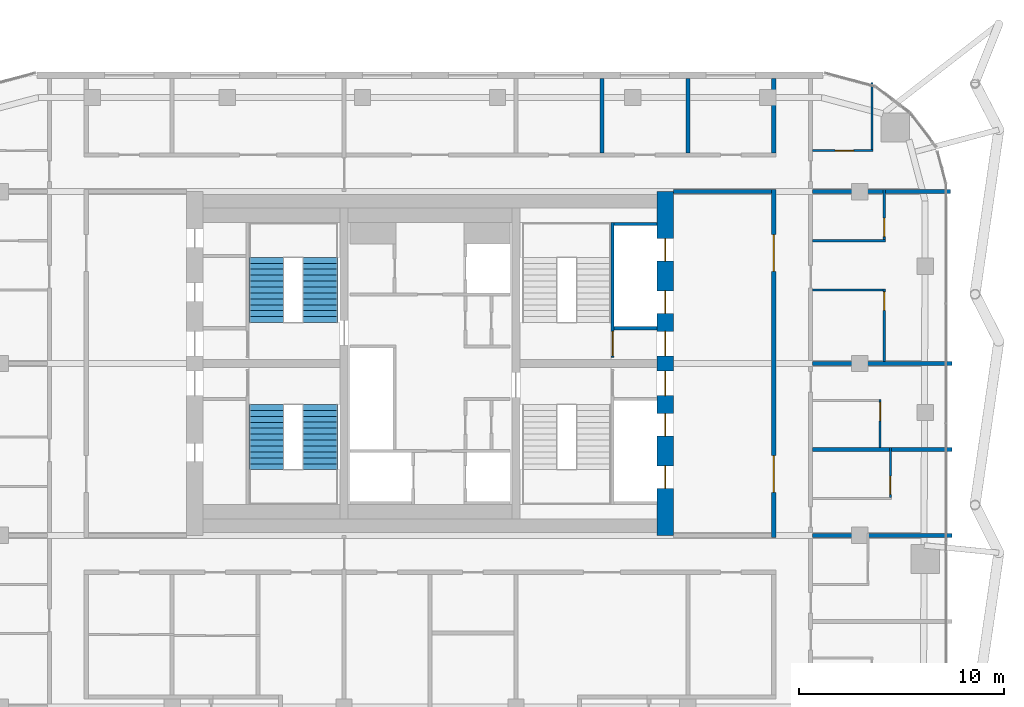
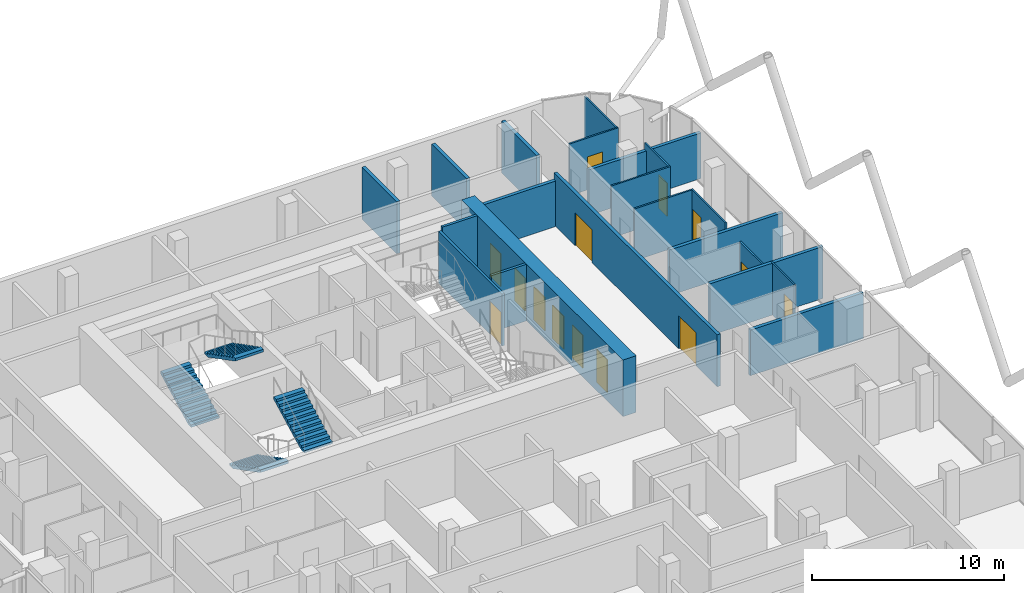
# One storey, part 31 of 33: 21 walls, 14 doors, 4 stair flights, 14 openings, 2 elements without a shape of their own.
"""IFC4 building model written with IfcOpenShell, lengths in metres."""

from ifc_helpers import new_model, si_unit, direction, frame, frame_2d, origin, place, context, subcontext, project, spatial, polyline, rectangle, outline, extrude, material, layer, layer_set, type_object, element, fill, aggregate, save


model = new_model("IFC4")

# Units and contexts
model_context = context("Model", 3, precision=1e-05, world=origin(), true_north=direction((0.0, 1.0)))
body_context = subcontext(model_context, "Body", "Model", "MODEL_VIEW")
ifc_project = project(units=[si_unit("LENGTHUNIT", "METRE"), si_unit("AREAUNIT", "SQUARE_METRE"), si_unit("VOLUMEUNIT", "CUBIC_METRE"), si_unit("PLANEANGLEUNIT", "RADIAN"), si_unit("MASSUNIT", "GRAM", prefix="KILO")], contexts=[model_context])

# Site, building, storey
site_placement = place(None, origin())
site = spatial("IfcSite", under=ifc_project, at=site_placement, CompositionType="ELEMENT")
building_placement = place(site_placement, origin())
building = spatial("IfcBuilding", under=site, at=building_placement, Name="Marenta Gate Hotel Tower", CompositionType="ELEMENT")
storey_placement = place(building_placement, frame((0.0, 0.0, 248.89990234375)))
storey = spatial("IfcBuildingStorey", under=building, at=storey_placement, Name="L59", CompositionType="ELEMENT", Elevation=248.89990234375)

# Wall, openings, doors
ifc_material_1 = material(Name="Concrete blockwork", Category="masonry")
ifc_layer_1 = layer(ifc_material_1, 0.199951171875)
ifc_layer_set_1 = layer_set([ifc_layer_1], Name="Concrete blockwork")
wall_type_1 = type_object("IfcWallType", Name="Core boundary wall 200 REI 180", PredefinedType="PARTITIONING", material=ifc_layer_set_1)
wall_1_placement = place(storey_placement, frame((16.800048828125, -0.10009765625, 0.0), z_axis=(0.0, 0.0, 1.0), x_axis=(0.0, 1.0, 0.0)))
wall_1 = element("IfcWall", 1, at=wall_1_placement, inside=storey, type_object=wall_type_1, Name="L59-CP-BW-E", PredefinedType="PARTITIONING", context=body_context, shape_type="SweptSolid", body=[
    extrude(rectangle(XDim=17.0, YDim=0.199951171875, at=frame_2d((8.5, 0.0))), origin(), (0.0, 0.0, 1.0), 3.300048828125),
])
opening_1_placement = place(wall_1_placement, frame((2.199951171875, 0.0, 0.0)))
opening_1 = element("IfcOpeningElement", 2, at=opening_1_placement, cuts=wall_1, Name="Opening ED-Ea-B", PredefinedType="OPENING", context=body_context, shape_type="SweptSolid", body=[
    extrude(rectangle(XDim=1.800048828125, YDim=2.10009765625, at=frame_2d((0.89990234375, 1.050048828125))), frame((0.0, 0.10009765625, 0.0), z_axis=(0.0, -1.0, 0.0), x_axis=(1.0, 0.0, 0.0)), (0.0, 0.0, 1.0), 0.199951171875),
])
opening_2_placement = place(wall_1_placement, frame((13.0, 0.0, 0.0)))
opening_2 = element("IfcOpeningElement", 3, at=opening_2_placement, cuts=wall_1, Name="Opening ED-Eb-B", PredefinedType="OPENING", context=body_context, shape_type="SweptSolid", body=[
    extrude(rectangle(XDim=1.800048828125, YDim=2.10009765625, at=frame_2d((0.89990234375, 1.050048828125))), frame((0.0, 0.10009765625, 0.0), z_axis=(0.0, -1.0, 0.0), x_axis=(1.0, 0.0, 0.0)), (0.0, 0.0, 1.0), 0.199951171875),
])
ifc_material_2 = material(Name="Steel", Category="steel")
door_type_1 = type_object("IfcDoorType", Name="Core lobby entrance door 1800x2100 EI 60", OperationType="DOUBLE_DOOR_SINGLE_SWING", PredefinedType="DOOR", material=ifc_material_2)
door_1_placement = place(opening_1_placement, origin())
door_1 = element("IfcDoor", 4, at=door_1_placement, inside=storey, type_object=door_type_1, Name="ED-Ea-B", OperationType="DOUBLE_DOOR_SINGLE_SWING", OverallHeight=2.10009765625, OverallWidth=1.800048828125, PredefinedType="DOOR", context=body_context, shape_type="SweptSolid", body=[
    extrude(rectangle(XDim=1.800048828125, YDim=2.10009765625, at=frame_2d((0.89990234375, 1.050048828125))), frame((0.0, 0.02490234375, 0.0), z_axis=(0.0, -1.0, 0.0), x_axis=(1.0, 0.0, 0.0)), (0.0, 0.0, 1.0), 0.050048828125),
])
fill(opening_1, door_1)
door_2_placement = place(opening_2_placement, origin())
door_2 = element("IfcDoor", 5, at=door_2_placement, inside=storey, type_object=door_type_1, Name="ED-Eb-B", OperationType="DOUBLE_DOOR_SINGLE_SWING", OverallHeight=2.10009765625, OverallWidth=1.800048828125, PredefinedType="DOOR", context=body_context, shape_type="SweptSolid", body=[
    extrude(rectangle(XDim=1.800048828125, YDim=2.10009765625, at=frame_2d((0.89990234375, 1.050048828125))), frame((0.0, 0.02490234375, 0.0), z_axis=(0.0, -1.0, 0.0), x_axis=(1.0, 0.0, 0.0)), (0.0, 0.0, 1.0), 0.050048828125),
])
fill(opening_2, door_2)

# Walls
wall_2_placement = place(storey_placement, frame((11.89990234375, 16.800048828125, 0.0), z_axis=(0.0, 0.0, 1.0), x_axis=(1.0, 0.0, 0.0)))
element("IfcWall", 6, at=wall_2_placement, inside=storey, type_object=wall_type_1, Name="L59-CP-EW-EN", PredefinedType="PARTITIONING", context=body_context, shape_type="SweptSolid", body=[
    extrude(rectangle(XDim=4.800048828125, YDim=0.199951171875, at=frame_2d((2.39990234375, 0.0))), origin(), (0.0, 0.0, 1.0), 2.900146484375),
])
ifc_material_3 = material(Name="Concrete C40", Category="concrete")
ifc_layer_2 = layer(ifc_material_3, 0.14990234375)
ifc_layer_set_2 = layer_set([ifc_layer_2], Name="Concrete C40")
wall_type_2 = type_object("IfcWallType", Name="Core shaft wall 150 REI 180", PredefinedType="SHEAR", material=ifc_layer_set_2)
for number, where, z_axis, x_axis, name in (
    (7, (9.0, 10.125, 0.0), (0.0, 0.0, 1.0), (1.0, 0.0, 0.0), "L59-SHF-SW-EN-2"),
    (8, (9.0, 15.22509765625, 0.0), (0.0, 0.0, 1.0), (1.0, 0.0, 0.0), "L59-SHF-SW-EN-5"),
):
    element("IfcWall", number, at=place(storey_placement, frame(where, z_axis=z_axis, x_axis=x_axis)), inside=storey, type_object=wall_type_2, Name=name, PredefinedType="SHEAR", context=body_context, shape_type="SweptSolid", body=[
        extrude(rectangle(XDim=2.10009765625, YDim=0.14990234375, at=frame_2d((1.050048828125, 0.0))), origin(), (0.0, 0.0, 1.0), 3.60009765625),
    ])

# Wall, opening, door
ifc_material_4 = material(Name="Concrete C40", Category="concrete")
ifc_layer_3 = layer(ifc_material_4, 0.14990234375)
ifc_layer_set_3 = layer_set([ifc_layer_3], Name="Concrete C40")
wall_type_3 = type_object("IfcWallType", Name="Core stair enclosure wall 150 REI 180", PredefinedType="SHEAR", material=ifc_layer_set_3)
wall_3_placement = place(storey_placement, frame((8.925048828125, 8.699951171875, 0.0), z_axis=(0.0, 0.0, 1.0), x_axis=(0.0, 1.0, 0.0)))
wall_3 = element("IfcWall", 9, at=wall_3_placement, inside=storey, type_object=wall_type_3, Name="L59-SHF-SW-EN-3", PredefinedType="SHEAR", context=body_context, shape_type="SweptSolid", body=[
    extrude(rectangle(XDim=6.60009765625, YDim=0.14990234375, at=frame_2d((3.300048828125, 0.0))), origin(), (0.0, 0.0, 1.0), 3.300048828125),
])
opening_3_placement = place(wall_3_placement, frame((0.074951171875, 0.0, 0.0)))
opening_3 = element("IfcOpeningElement", 10, at=opening_3_placement, cuts=wall_3, Name="Opening SD-EN", PredefinedType="OPENING", context=body_context, shape_type="SweptSolid", body=[
    extrude(rectangle(XDim=1.199951171875, YDim=2.10009765625, at=frame_2d((0.60009765625, 1.050048828125))), frame((0.0, 0.074951171875, 0.0), z_axis=(0.0, -1.0, 0.0), x_axis=(1.0, 0.0, 0.0)), (0.0, 0.0, 1.0), 0.14990234375),
])
ifc_material_5 = material(Name="Steel", Category="steel")
door_type_2 = type_object("IfcDoorType", Name="Core stair door 1200x2100 FD60", OperationType="SINGLE_SWING_LEFT", PredefinedType="DOOR", material=ifc_material_5)
door_3_placement = place(opening_3_placement, origin())
door_3 = element("IfcDoor", 11, at=door_3_placement, inside=storey, type_object=door_type_2, Name="SD-EN", OperationType="SINGLE_SWING_LEFT", OverallHeight=2.10009765625, OverallWidth=1.199951171875, PredefinedType="DOOR", context=body_context, shape_type="SweptSolid", body=[
    extrude(rectangle(XDim=1.199951171875, YDim=2.10009765625, at=frame_2d((0.60009765625, 1.050048828125))), frame((0.0, 0.02490234375, 0.0), z_axis=(0.0, -1.0, 0.0), x_axis=(1.0, 0.0, 0.0)), (0.0, 0.0, 1.0), 0.050048828125),
])
fill(opening_3, door_3)

# Wall, openings, doors
ifc_material_6 = material(Name="Concrete C60", Category="concrete")
ifc_layer_4 = layer(ifc_material_6, 0.800048828125)
ifc_layer_set_4 = layer_set([ifc_layer_4], Name="Concrete C60")
wall_type_4 = type_object("IfcWallType", Name="Core wall 800 C60", PredefinedType="SHEAR", material=ifc_layer_set_4)
wall_4_placement = place(storey_placement, frame((11.5, 0.0, 0.0), z_axis=(0.0, 0.0, 1.0), x_axis=(0.0, 1.0, 0.0)))
wall_4 = element("IfcWall", 12, at=wall_4_placement, inside=storey, type_object=wall_type_4, Name="L59-CORE-E", PredefinedType="SHEAR", context=body_context, shape_type="SweptSolid", body=[
    extrude(rectangle(XDim=16.800048828125, YDim=0.800048828125, at=frame_2d((8.39990234375, 0.0))), origin(), (0.0, 0.0, 1.0), 3.60009765625),
])
opening_4_placement = place(wall_4_placement, frame((2.300048828125, 0.0, 0.0)))
opening_4 = element("IfcOpeningElement", 13, at=opening_4_placement, cuts=wall_4, Name="Opening LD-HR1", PredefinedType="OPENING", context=body_context, shape_type="SweptSolid", body=[
    extrude(rectangle(XDim=1.10009765625, YDim=2.10009765625, at=frame_2d((0.550048828125, 1.050048828125))), frame((0.0, 0.39990234375, 0.0), z_axis=(0.0, -1.0, 0.0), x_axis=(1.0, 0.0, 0.0)), (0.0, 0.0, 1.0), 0.800048828125),
])
opening_5_placement = place(wall_4_placement, frame((4.85009765625, 0.0, 0.0)))
opening_5 = element("IfcOpeningElement", 14, at=opening_5_placement, cuts=wall_4, Name="Opening LD-HR2", PredefinedType="OPENING", context=body_context, shape_type="SweptSolid", body=[
    extrude(rectangle(XDim=1.10009765625, YDim=2.10009765625, at=frame_2d((0.550048828125, 1.050048828125))), frame((0.0, 0.39990234375, 0.0), z_axis=(0.0, -1.0, 0.0), x_axis=(1.0, 0.0, 0.0)), (0.0, 0.0, 1.0), 0.800048828125),
])
opening_6_placement = place(wall_4_placement, frame((6.824951171875, 0.0, 0.0)))
opening_6 = element("IfcOpeningElement", 15, at=opening_6_placement, cuts=wall_4, Name="Opening PD-ES", PredefinedType="OPENING", context=body_context, shape_type="SweptSolid", body=[
    extrude(rectangle(XDim=1.199951171875, YDim=2.10009765625, at=frame_2d((0.60009765625, 1.050048828125))), frame((0.0, 0.39990234375, 0.0), z_axis=(0.0, -1.0, 0.0), x_axis=(1.0, 0.0, 0.0)), (0.0, 0.0, 1.0), 0.800048828125),
])
opening_7_placement = place(wall_4_placement, frame((13.39990234375, 0.0, 0.0)))
opening_7 = element("IfcOpeningElement", 16, at=opening_7_placement, cuts=wall_4, Name="Opening LD-HR4", PredefinedType="OPENING", context=body_context, shape_type="SweptSolid", body=[
    extrude(rectangle(XDim=1.10009765625, YDim=2.10009765625, at=frame_2d((0.550048828125, 1.050048828125))), frame((0.0, 0.39990234375, 0.0), z_axis=(0.0, -1.0, 0.0), x_axis=(1.0, 0.0, 0.0)), (0.0, 0.0, 1.0), 0.800048828125),
])
opening_8_placement = place(wall_4_placement, frame((10.85009765625, 0.0, 0.0)))
opening_8 = element("IfcOpeningElement", 17, at=opening_8_placement, cuts=wall_4, Name="Opening LD-HR3", PredefinedType="OPENING", context=body_context, shape_type="SweptSolid", body=[
    extrude(rectangle(XDim=1.10009765625, YDim=2.10009765625, at=frame_2d((0.550048828125, 1.050048828125))), frame((0.0, 0.39990234375, 0.0), z_axis=(0.0, -1.0, 0.0), x_axis=(1.0, 0.0, 0.0)), (0.0, 0.0, 1.0), 0.800048828125),
])
opening_9_placement = place(wall_4_placement, frame((8.77490234375, 0.0, 0.0)))
opening_9 = element("IfcOpeningElement", 18, at=opening_9_placement, cuts=wall_4, Name="Opening PD-EN", PredefinedType="OPENING", context=body_context, shape_type="SweptSolid", body=[
    extrude(rectangle(XDim=1.199951171875, YDim=2.10009765625, at=frame_2d((0.60009765625, 1.050048828125))), frame((0.0, 0.39990234375, 0.0), z_axis=(0.0, -1.0, 0.0), x_axis=(1.0, 0.0, 0.0)), (0.0, 0.0, 1.0), 0.800048828125),
])
ifc_material_7 = material(Name="Steel", Category="steel")
door_type_3 = type_object("IfcDoorType", Name="Core lift landing door 1100x2100 E 60", OperationType="SLIDING_TO_LEFT", PredefinedType="DOOR", material=ifc_material_7)
door_4_placement = place(opening_4_placement, origin())
door_4 = element("IfcDoor", 19, at=door_4_placement, inside=storey, type_object=door_type_3, Name="LD-HR1", OperationType="SLIDING_TO_LEFT", OverallHeight=2.10009765625, OverallWidth=1.10009765625, PredefinedType="DOOR", context=body_context, shape_type="SweptSolid", body=[
    extrude(rectangle(XDim=1.10009765625, YDim=2.10009765625, at=frame_2d((0.550048828125, 1.050048828125))), frame((0.0, 0.02490234375, 0.0), z_axis=(0.0, -1.0, 0.0), x_axis=(1.0, 0.0, 0.0)), (0.0, 0.0, 1.0), 0.050048828125),
])
fill(opening_4, door_4)
door_5_placement = place(opening_5_placement, origin())
door_5 = element("IfcDoor", 20, at=door_5_placement, inside=storey, type_object=door_type_3, Name="LD-HR2", OperationType="SLIDING_TO_LEFT", OverallHeight=2.10009765625, OverallWidth=1.10009765625, PredefinedType="DOOR", context=body_context, shape_type="SweptSolid", body=[
    extrude(rectangle(XDim=1.10009765625, YDim=2.10009765625, at=frame_2d((0.550048828125, 1.050048828125))), frame((0.0, 0.02490234375, 0.0), z_axis=(0.0, -1.0, 0.0), x_axis=(1.0, 0.0, 0.0)), (0.0, 0.0, 1.0), 0.050048828125),
])
fill(opening_5, door_5)
door_6_placement = place(opening_7_placement, origin())
door_6 = element("IfcDoor", 21, at=door_6_placement, inside=storey, type_object=door_type_3, Name="LD-HR4", OperationType="SLIDING_TO_LEFT", OverallHeight=2.10009765625, OverallWidth=1.10009765625, PredefinedType="DOOR", context=body_context, shape_type="SweptSolid", body=[
    extrude(rectangle(XDim=1.10009765625, YDim=2.10009765625, at=frame_2d((0.550048828125, 1.050048828125))), frame((0.0, 0.02490234375, 0.0), z_axis=(0.0, -1.0, 0.0), x_axis=(1.0, 0.0, 0.0)), (0.0, 0.0, 1.0), 0.050048828125),
])
fill(opening_7, door_6)
door_7_placement = place(opening_8_placement, origin())
door_7 = element("IfcDoor", 22, at=door_7_placement, inside=storey, type_object=door_type_3, Name="LD-HR3", OperationType="SLIDING_TO_LEFT", OverallHeight=2.10009765625, OverallWidth=1.10009765625, PredefinedType="DOOR", context=body_context, shape_type="SweptSolid", body=[
    extrude(rectangle(XDim=1.10009765625, YDim=2.10009765625, at=frame_2d((0.550048828125, 1.050048828125))), frame((0.0, 0.02490234375, 0.0), z_axis=(0.0, -1.0, 0.0), x_axis=(1.0, 0.0, 0.0)), (0.0, 0.0, 1.0), 0.050048828125),
])
fill(opening_8, door_7)
ifc_material_8 = material(Name="Steel", Category="steel")
door_type_4 = type_object("IfcDoorType", Name="Core lobby door 1200x2100 FD60", OperationType="SINGLE_SWING_LEFT", PredefinedType="DOOR", material=ifc_material_8)
door_8_placement = place(opening_6_placement, origin())
door_8 = element("IfcDoor", 23, at=door_8_placement, inside=storey, type_object=door_type_4, Name="PD-ES", OperationType="SINGLE_SWING_LEFT", OverallHeight=2.10009765625, OverallWidth=1.199951171875, PredefinedType="DOOR", context=body_context, shape_type="SweptSolid", body=[
    extrude(rectangle(XDim=1.199951171875, YDim=2.10009765625, at=frame_2d((0.60009765625, 1.050048828125))), frame((0.0, 0.02490234375, 0.0), z_axis=(0.0, -1.0, 0.0), x_axis=(1.0, 0.0, 0.0)), (0.0, 0.0, 1.0), 0.050048828125),
])
fill(opening_6, door_8)
door_9_placement = place(opening_9_placement, origin())
door_9 = element("IfcDoor", 24, at=door_9_placement, inside=storey, type_object=door_type_4, Name="PD-EN", OperationType="SINGLE_SWING_LEFT", OverallHeight=2.10009765625, OverallWidth=1.199951171875, PredefinedType="DOOR", context=body_context, shape_type="SweptSolid", body=[
    extrude(rectangle(XDim=1.199951171875, YDim=2.10009765625, at=frame_2d((0.60009765625, 1.050048828125))), frame((0.0, 0.02490234375, 0.0), z_axis=(0.0, -1.0, 0.0), x_axis=(1.0, 0.0, 0.0)), (0.0, 0.0, 1.0), 0.050048828125),
])
fill(opening_9, door_9)

# Wall
ifc_material_9 = material(Name="Gypsum board on steel stud", Category="steel")
ifc_layer_5 = layer(ifc_material_9, 0.199951171875)
ifc_layer_set_5 = layer_set([ifc_layer_5], Name="Gypsum board on steel stud")
wall_type_5 = type_object("IfcWallType", Name="Room corridor wall 200 EI 60", PredefinedType="PARTITIONING", material=ifc_layer_set_5)
wall_5_placement = place(storey_placement, frame((16.800048828125, 18.699951171875, 0.0), z_axis=(0.0, 0.0, 1.0), x_axis=(0.0, 1.0, 0.0)))
element("IfcWall", 25, at=wall_5_placement, inside=storey, type_object=wall_type_5, Name="L59-PTN-W023", PredefinedType="PARTITIONING", context=body_context, shape_type="SweptSolid", body=[
    extrude(rectangle(XDim=3.64013671875, YDim=0.199951171875, at=frame_2d((1.820068359375, 0.0))), origin(), (0.0, 0.0, 1.0), 3.300048828125),
])

# Wall, opening, door
ifc_material_10 = material(Name="Gypsum board on steel stud", Category="steel")
ifc_layer_6 = layer(ifc_material_10, 0.10009765625)
ifc_layer_set_6 = layer_set([ifc_layer_6], Name="Gypsum board on steel stud")
wall_type_6 = type_object("IfcWallType", Name="Room partition 100", PredefinedType="PARTITIONING", material=ifc_layer_set_6)
wall_6_placement = place(storey_placement, frame((22.5, 1.85009765625, 0.0), z_axis=(0.0, 0.0, 1.0), x_axis=(0.0, 1.0, 0.0)))
wall_6 = element("IfcWall", 26, at=wall_6_placement, inside=storey, type_object=wall_type_6, Name="L59-PTN-W007", PredefinedType="PARTITIONING", context=body_context, shape_type="SweptSolid", body=[
    extrude(rectangle(XDim=2.449951171875, YDim=0.10009765625, at=frame_2d((1.22509765625, 0.0))), origin(), (0.0, 0.0, 1.0), 3.300048828125),
])
opening_10_placement = place(wall_6_placement, frame((0.14990234375, 0.0, 0.0)))
opening_10 = element("IfcOpeningElement", 27, at=opening_10_placement, cuts=wall_6, Name="Opening G21-21", PredefinedType="OPENING", context=body_context, shape_type="SweptSolid", body=[
    extrude(rectangle(XDim=0.89990234375, YDim=2.10009765625, at=frame_2d((0.449951171875, 1.050048828125))), frame((0.0, 0.050048828125, 0.0), z_axis=(0.0, -1.0, 0.0), x_axis=(1.0, 0.0, 0.0)), (0.0, 0.0, 1.0), 0.10009765625),
])
ifc_material_11 = material(Name="Timber door leaf", Category="wood")
door_type_5 = type_object("IfcDoorType", Name="Guest bathroom door 900x2100", OperationType="NOTDEFINED", PredefinedType="DOOR", material=ifc_material_11)
door_10_placement = place(opening_10_placement, origin())
door_10 = element("IfcDoor", 28, at=door_10_placement, inside=storey, type_object=door_type_5, Name="L59-PD-D021", OperationType="SINGLE_SWING_LEFT", OverallHeight=2.10009765625, OverallWidth=0.89990234375, PredefinedType="DOOR", context=body_context, shape_type="SweptSolid", body=[
    extrude(rectangle(XDim=0.89990234375, YDim=2.10009765625, at=frame_2d((0.449951171875, 1.050048828125))), frame((0.0, 0.02490234375, 0.0), z_axis=(0.0, -1.0, 0.0), x_axis=(1.0, 0.0, 0.0)), (0.0, 0.0, 1.0), 0.050048828125),
])
fill(opening_10, door_10)

wall_7_placement = place(storey_placement, frame((22.199951171875, 8.5, 0.0), z_axis=(0.0, 0.0, 1.0), x_axis=(0.0, 1.0, 0.0)))
wall_7 = element("IfcWall", 29, at=wall_7_placement, inside=storey, type_object=wall_type_6, Name="L59-PTN-W008", PredefinedType="PARTITIONING", context=body_context, shape_type="SweptSolid", body=[
    extrude(rectangle(XDim=3.550048828125, YDim=0.10009765625, at=frame_2d((1.77490234375, 0.0))), origin(), (0.0, 0.0, 1.0), 3.300048828125),
])
opening_11_placement = place(wall_7_placement, frame((2.5, 0.0, 0.0)))
opening_11 = element("IfcOpeningElement", 30, at=opening_11_placement, cuts=wall_7, Name="Opening G21-25", PredefinedType="OPENING", context=body_context, shape_type="SweptSolid", body=[
    extrude(rectangle(XDim=0.89990234375, YDim=2.10009765625, at=frame_2d((0.449951171875, 1.050048828125))), frame((0.0, 0.050048828125, 0.0), z_axis=(0.0, -1.0, 0.0), x_axis=(1.0, 0.0, 0.0)), (0.0, 0.0, 1.0), 0.10009765625),
])
door_11_placement = place(opening_11_placement, origin())
door_11 = element("IfcDoor", 31, at=door_11_placement, inside=storey, type_object=door_type_5, Name="L59-PD-D025", OperationType="SINGLE_SWING_RIGHT", OverallHeight=2.10009765625, OverallWidth=0.89990234375, PredefinedType="DOOR", context=body_context, shape_type="SweptSolid", body=[
    extrude(rectangle(XDim=0.89990234375, YDim=2.10009765625, at=frame_2d((0.449951171875, 1.050048828125))), frame((0.0, 0.02490234375, 0.0), z_axis=(0.0, -1.0, 0.0), x_axis=(1.0, 0.0, 0.0)), (0.0, 0.0, 1.0), 0.050048828125),
])
fill(opening_11, door_11)

wall_8_placement = place(storey_placement, frame((22.199951171875, 14.449951171875, 0.0), z_axis=(0.0, 0.0, 1.0), x_axis=(0.0, 1.0, 0.0)))
wall_8 = element("IfcWall", 32, at=wall_8_placement, inside=storey, type_object=wall_type_6, Name="L59-PTN-W009", PredefinedType="PARTITIONING", context=body_context, shape_type="SweptSolid", body=[
    extrude(rectangle(XDim=2.449951171875, YDim=0.10009765625, at=frame_2d((1.22509765625, 0.0))), origin(), (0.0, 0.0, 1.0), 3.300048828125),
])
opening_12_placement = place(wall_8_placement, frame((0.14990234375, 0.0, 0.0)))
opening_12 = element("IfcOpeningElement", 33, at=opening_12_placement, cuts=wall_8, Name="Opening G21-26", PredefinedType="OPENING", context=body_context, shape_type="SweptSolid", body=[
    extrude(rectangle(XDim=0.89990234375, YDim=2.10009765625, at=frame_2d((0.449951171875, 1.050048828125))), frame((0.0, 0.050048828125, 0.0), z_axis=(0.0, -1.0, 0.0), x_axis=(1.0, 0.0, 0.0)), (0.0, 0.0, 1.0), 0.10009765625),
])
ifc_material_12 = material(Name="Timber door leaf", Category="wood")
door_type_6 = type_object("IfcDoorType", Name="Room inner door 900x2100", OperationType="NOTDEFINED", PredefinedType="DOOR", material=ifc_material_12)
door_12_placement = place(opening_12_placement, origin())
door_12 = element("IfcDoor", 34, at=door_12_placement, inside=storey, type_object=door_type_6, Name="L59-PD-D026", OperationType="SINGLE_SWING_LEFT", OverallHeight=2.10009765625, OverallWidth=0.89990234375, PredefinedType="DOOR", context=body_context, shape_type="SweptSolid", body=[
    extrude(rectangle(XDim=0.89990234375, YDim=2.10009765625, at=frame_2d((0.449951171875, 1.050048828125))), frame((0.0, 0.02490234375, 0.0), z_axis=(0.0, -1.0, 0.0), x_axis=(1.0, 0.0, 0.0)), (0.0, 0.0, 1.0), 0.050048828125),
])
fill(opening_12, door_12)

wall_9_placement = place(storey_placement, frame((22.0, 4.300048828125, 0.0), z_axis=(0.0, 0.0, 1.0), x_axis=(0.0, 1.0, 0.0)))
wall_9 = element("IfcWall", 35, at=wall_9_placement, inside=storey, type_object=wall_type_6, Name="L59-PTN-W010", PredefinedType="PARTITIONING", context=body_context, shape_type="SweptSolid", body=[
    extrude(rectangle(XDim=2.349853515625, YDim=0.10009765625, at=frame_2d((1.1748046875, 0.0))), origin(), (0.0, 0.0, 1.0), 3.300048828125),
])
opening_13_placement = place(wall_9_placement, frame((1.300048828125, 0.0, 0.0)))
opening_13 = element("IfcOpeningElement", 36, at=opening_13_placement, cuts=wall_9, Name="Opening G21-23", PredefinedType="OPENING", context=body_context, shape_type="SweptSolid", body=[
    extrude(rectangle(XDim=0.89990234375, YDim=2.10009765625, at=frame_2d((0.449951171875, 1.050048828125))), frame((0.0, 0.050048828125, 0.0), z_axis=(0.0, -1.0, 0.0), x_axis=(1.0, 0.0, 0.0)), (0.0, 0.0, 1.0), 0.10009765625),
])
door_13_placement = place(opening_13_placement, origin())
door_13 = element("IfcDoor", 37, at=door_13_placement, inside=storey, type_object=door_type_5, Name="L59-PD-D023", OperationType="SINGLE_SWING_RIGHT", OverallHeight=2.10009765625, OverallWidth=0.89990234375, PredefinedType="DOOR", context=body_context, shape_type="SweptSolid", body=[
    extrude(rectangle(XDim=0.89990234375, YDim=2.10009765625, at=frame_2d((0.449951171875, 1.050048828125))), frame((0.0, 0.02490234375, 0.0), z_axis=(0.0, -1.0, 0.0), x_axis=(1.0, 0.0, 0.0)), (0.0, 0.0, 1.0), 0.050048828125),
])
fill(opening_13, door_13)

# Walls
wall_10_placement = place(storey_placement, frame((21.60009765625, 18.85009765625, 0.0), z_axis=(0.0, 0.0, 1.0), x_axis=(0.0, 1.0, 0.0)))
element("IfcWall", 38, at=wall_10_placement, inside=storey, type_object=wall_type_6, Name="L59-PTN-W013", PredefinedType="PARTITIONING", context=body_context, shape_type="SweptSolid", body=[
    extrude(rectangle(XDim=3.294921875, YDim=0.10009765625, at=frame_2d((1.6474609375, 0.0))), origin(), (0.0, 0.0, 1.0), 3.300048828125),
])
wall_11_placement = place(storey_placement, frame((18.699951171875, 12.0, 0.0), z_axis=(0.0, 0.0, 1.0), x_axis=(1.0, 0.0, 0.0)))
element("IfcWall", 39, at=wall_11_placement, inside=storey, type_object=wall_type_6, Name="L59-PTN-W086", PredefinedType="PARTITIONING", context=body_context, shape_type="SweptSolid", body=[
    extrude(rectangle(XDim=3.449951171875, YDim=0.10009765625, at=frame_2d((1.72509765625, 0.0))), origin(), (0.0, 0.0, 1.0), 3.300048828125),
])
wall_12_placement = place(storey_placement, frame((18.699951171875, 14.39990234375, 0.0), z_axis=(0.0, 0.0, 1.0), x_axis=(1.0, 0.0, 0.0)))
element("IfcWall", 40, at=wall_12_placement, inside=storey, type_object=wall_type_6, Name="L59-PTN-W093", PredefinedType="PARTITIONING", context=body_context, shape_type="SweptSolid", body=[
    extrude(rectangle(XDim=3.550048828125, YDim=0.10009765625, at=frame_2d((1.77490234375, 0.0))), origin(), (0.0, 0.0, 1.0), 3.300048828125),
])

# Wall, opening, door
wall_13_placement = place(storey_placement, frame((18.699951171875, 18.800048828125, 0.0), z_axis=(0.0, 0.0, 1.0), x_axis=(1.0, 0.0, 0.0)))
wall_13 = element("IfcWall", 41, at=wall_13_placement, inside=storey, type_object=wall_type_6, Name="L59-PTN-W104", PredefinedType="PARTITIONING", context=body_context, shape_type="SweptSolid", body=[
    extrude(rectangle(XDim=2.949951171875, YDim=0.10009765625, at=frame_2d((1.47509765625, 0.0))), origin(), (0.0, 0.0, 1.0), 3.300048828125),
])
opening_14_placement = place(wall_13_placement, frame((1.10009765625, 0.0, 0.0)))
opening_14 = element("IfcOpeningElement", 42, at=opening_14_placement, cuts=wall_13, Name="Opening G21-28", PredefinedType="OPENING", context=body_context, shape_type="SweptSolid", body=[
    extrude(rectangle(XDim=0.89990234375, YDim=2.10009765625, at=frame_2d((0.449951171875, 1.050048828125))), frame((0.0, 0.050048828125, 0.0), z_axis=(0.0, -1.0, 0.0), x_axis=(1.0, 0.0, 0.0)), (0.0, 0.0, 1.0), 0.10009765625),
])
door_14_placement = place(opening_14_placement, origin())
door_14 = element("IfcDoor", 43, at=door_14_placement, inside=storey, type_object=door_type_5, Name="L59-PD-D028", OperationType="SINGLE_SWING_RIGHT", OverallHeight=2.10009765625, OverallWidth=0.89990234375, PredefinedType="DOOR", context=body_context, shape_type="SweptSolid", body=[
    extrude(rectangle(XDim=0.89990234375, YDim=2.10009765625, at=frame_2d((0.449951171875, 1.050048828125))), frame((0.0, 0.02490234375, 0.0), z_axis=(0.0, -1.0, 0.0), x_axis=(1.0, 0.0, 0.0)), (0.0, 0.0, 1.0), 0.050048828125),
])
fill(opening_14, door_14)

# Walls
ifc_material_13 = material(Name="Gypsum board on steel stud", Category="steel")
ifc_layer_7 = layer(ifc_material_13, 0.199951171875)
ifc_layer_set_7 = layer_set([ifc_layer_7], Name="Gypsum board on steel stud")
wall_type_7 = type_object("IfcWallType", Name="Room party wall 200 EI 60", PredefinedType="PARTITIONING", material=ifc_layer_set_7)
for number, where, z_axis, x_axis, name in (
    (44, (12.60009765625, 18.699951171875, 0.0), (0.0, 0.0, 1.0), (0.0, 1.0, 0.0), "L59-PTN-W034"),
    (45, (8.39990234375, 18.699951171875, 0.0), (0.0, 0.0, 1.0), (0.0, 1.0, 0.0), "L59-PTN-W040"),
):
    element("IfcWall", number, at=place(storey_placement, frame(where, z_axis=z_axis, x_axis=x_axis)), inside=storey, type_object=wall_type_7, Name=name, PredefinedType="PARTITIONING", context=body_context, shape_type="SweptSolid", body=[
        extrude(rectangle(XDim=3.64013671875, YDim=0.199951171875, at=frame_2d((1.820068359375, 0.0))), origin(), (0.0, 0.0, 1.0), 3.300048828125),
    ])
wall_14_placement = place(storey_placement, frame((18.699951171875, 0.0, 0.0), z_axis=(0.0, 0.0, 1.0), x_axis=(1.0, 0.0, 0.0)))
element("IfcWall", 46, at=wall_14_placement, inside=storey, type_object=wall_type_7, Name="L59-PTN-W065", PredefinedType="PARTITIONING", context=body_context, shape_type="SweptSolid", body=[
    extrude(rectangle(XDim=6.800048828125, YDim=0.199951171875, at=frame_2d((3.39990234375, 0.0))), origin(), (0.0, 0.0, 1.0), 2.900146484375),
])
wall_15_placement = place(storey_placement, frame((18.699951171875, 4.199951171875, 0.0), z_axis=(0.0, 0.0, 1.0), x_axis=(1.0, 0.0, 0.0)))
element("IfcWall", 47, at=wall_15_placement, inside=storey, type_object=wall_type_7, Name="L59-PTN-W073", PredefinedType="PARTITIONING", context=body_context, shape_type="SweptSolid", body=[
    extrude(rectangle(XDim=6.800048828125, YDim=0.199951171875, at=frame_2d((3.39990234375, 0.0))), origin(), (0.0, 0.0, 1.0), 3.300048828125),
])
wall_16_placement = place(storey_placement, frame((18.699951171875, 8.39990234375, 0.0), z_axis=(0.0, 0.0, 1.0), x_axis=(1.0, 0.0, 0.0)))
element("IfcWall", 48, at=wall_16_placement, inside=storey, type_object=wall_type_7, Name="L59-PTN-W082", PredefinedType="PARTITIONING", context=body_context, shape_type="SweptSolid", body=[
    extrude(rectangle(XDim=6.800048828125, YDim=0.199951171875, at=frame_2d((3.39990234375, 0.0))), origin(), (0.0, 0.0, 1.0), 2.900146484375),
])
wall_17_placement = place(storey_placement, frame((18.699951171875, 16.800048828125, 0.0), z_axis=(0.0, 0.0, 1.0), x_axis=(1.0, 0.0, 0.0)))
element("IfcWall", 49, at=wall_17_placement, inside=storey, type_object=wall_type_7, Name="L59-PTN-W100", PredefinedType="PARTITIONING", context=body_context, shape_type="SweptSolid", body=[
    extrude(rectangle(XDim=6.7470703125, YDim=0.199951171875, at=frame_2d((3.37353515625, 0.0))), origin(), (0.0, 0.0, 1.0), 2.900146484375),
])

# Stair, stair flights
ifc_material_14 = material(Name="Concrete C40", Category="concrete")
stair_type = type_object("IfcStairType", Name="Core exit stair 1700 wide", PredefinedType="HALF_TURN_STAIR", material=ifc_material_14)
stair_1_placement = place(storey_placement, origin())
stair_1 = element("IfcStair", 50, at=stair_1_placement, inside=storey, type_object=stair_type, Name="Exit stair 1", PredefinedType="HALF_TURN_STAIR")
ifc_material_15 = material(Name="Concrete C40", Category="concrete")
stair_flight_type = type_object("IfcStairFlightType", Name="Core stair flight 1700 riser 150.0 going 290", PredefinedType="STRAIGHT", material=ifc_material_15)
stair_flight_1_placement = place(storey_placement, frame((-8.0, 6.39990234375, 0.0), z_axis=(0.0, 0.0, 1.0), x_axis=(0.0, -1.0, 0.0)))
stair_flight_1 = element("IfcStairFlight", 51, at=stair_flight_1_placement, type_object=stair_flight_type, Name="ST1 flight 1", NumberOfRisers=12, NumberOfTreads=11, PredefinedType="STRAIGHT", RiserHeight=0.15, TreadLength=0.29, context=body_context, shape_type="SweptSolid", body=[
    extrude(outline(polyline([(0.0, 0.0), (0.0, 0.14990234375), (0.2900390625, 0.14990234375), (0.2900390625, 0.300048828125), (0.580078125, 0.300048828125), (0.580078125, 0.449951171875), (0.8701171875, 0.449951171875), (0.8701171875, 0.60009765625), (1.159912109375, 0.60009765625), (1.159912109375, 0.75), (1.449951171875, 0.75), (1.449951171875, 0.89990234375), (1.739990234375, 0.89990234375), (1.739990234375, 1.050048828125), (2.030029296875, 1.050048828125), (2.030029296875, 1.199951171875), (2.320068359375, 1.199951171875), (2.320068359375, 1.35009765625), (2.610107421875, 1.35009765625), (2.610107421875, 1.5), (2.89990234375, 1.5), (2.89990234375, 1.64990234375), (3.18994140625, 1.64990234375), (3.18994140625, 1.800048828125), (3.18994140625, 1.481201171875), (0.326171875, 0.0), (0.0, 0.0)])), frame((0.0, 0.85009765625, 0.0), z_axis=(0.0, -1.0, 0.0), x_axis=(1.0, 0.0, 0.0)), (0.0, 0.0, 1.0), 1.699951171875),
])
stair_flight_2_placement = place(storey_placement, frame((-5.35009765625, 3.2099609375, 1.800048828125), z_axis=(0.0, 0.0, 1.0), x_axis=(0.0, 1.0, 0.0)))
stair_flight_2 = element("IfcStairFlight", 52, at=stair_flight_2_placement, type_object=stair_flight_type, Name="ST1 flight 2", NumberOfRisers=12, NumberOfTreads=11, PredefinedType="STRAIGHT", RiserHeight=0.15, TreadLength=0.29, context=body_context, shape_type="SweptSolid", body=[
    extrude(outline(polyline([(0.0, 0.0), (0.0, 0.14990234375), (0.2900390625, 0.14990234375), (0.2900390625, 0.300048828125), (0.580078125, 0.300048828125), (0.580078125, 0.449951171875), (0.8701171875, 0.449951171875), (0.8701171875, 0.60009765625), (1.159912109375, 0.60009765625), (1.159912109375, 0.75), (1.449951171875, 0.75), (1.449951171875, 0.89990234375), (1.739990234375, 0.89990234375), (1.739990234375, 1.050048828125), (2.030029296875, 1.050048828125), (2.030029296875, 1.199951171875), (2.320068359375, 1.199951171875), (2.320068359375, 1.35009765625), (2.610107421875, 1.35009765625), (2.610107421875, 1.5), (2.89990234375, 1.5), (2.89990234375, 1.64990234375), (3.18994140625, 1.64990234375), (3.18994140625, 1.800048828125), (3.18994140625, 1.481201171875), (0.326171875, 0.0), (0.0, 0.0)])), frame((0.0, 0.85009765625, 0.0), z_axis=(0.0, -1.0, 0.0), x_axis=(1.0, 0.0, 0.0)), (0.0, 0.0, 1.0), 1.699951171875),
])
aggregate(stair_1, [stair_flight_1, stair_flight_2])

stair_2_placement = place(storey_placement, origin())
stair_2 = element("IfcStair", 53, at=stair_2_placement, inside=storey, type_object=stair_type, Name="Exit stair 2", PredefinedType="HALF_TURN_STAIR")
stair_flight_3_placement = place(storey_placement, frame((-8.0, 10.39990234375, 0.0), z_axis=(0.0, 0.0, 1.0), x_axis=(0.0, 1.0, 0.0)))
stair_flight_3 = element("IfcStairFlight", 54, at=stair_flight_3_placement, type_object=stair_flight_type, Name="ST2 flight 1", NumberOfRisers=12, NumberOfTreads=11, PredefinedType="STRAIGHT", RiserHeight=0.15, TreadLength=0.29, context=body_context, shape_type="SweptSolid", body=[
    extrude(outline(polyline([(0.0, 0.0), (0.0, 0.14990234375), (0.2900390625, 0.14990234375), (0.2900390625, 0.300048828125), (0.580078125, 0.300048828125), (0.580078125, 0.449951171875), (0.8701171875, 0.449951171875), (0.8701171875, 0.60009765625), (1.159912109375, 0.60009765625), (1.159912109375, 0.75), (1.449951171875, 0.75), (1.449951171875, 0.89990234375), (1.739990234375, 0.89990234375), (1.739990234375, 1.050048828125), (2.030029296875, 1.050048828125), (2.030029296875, 1.199951171875), (2.320068359375, 1.199951171875), (2.320068359375, 1.35009765625), (2.610107421875, 1.35009765625), (2.610107421875, 1.5), (2.89990234375, 1.5), (2.89990234375, 1.64990234375), (3.18994140625, 1.64990234375), (3.18994140625, 1.800048828125), (3.18994140625, 1.481201171875), (0.326171875, 0.0), (0.0, 0.0)])), frame((0.0, 0.85009765625, 0.0), z_axis=(0.0, -1.0, 0.0), x_axis=(1.0, 0.0, 0.0)), (0.0, 0.0, 1.0), 1.699951171875),
])
stair_flight_4_placement = place(storey_placement, frame((-5.35009765625, 13.590087890625, 1.800048828125), z_axis=(0.0, 0.0, 1.0), x_axis=(0.0, -1.0, 0.0)))
stair_flight_4 = element("IfcStairFlight", 55, at=stair_flight_4_placement, type_object=stair_flight_type, Name="ST2 flight 2", NumberOfRisers=12, NumberOfTreads=11, PredefinedType="STRAIGHT", RiserHeight=0.15, TreadLength=0.29, context=body_context, shape_type="SweptSolid", body=[
    extrude(outline(polyline([(0.0, 0.0), (0.0, 0.14990234375), (0.2900390625, 0.14990234375), (0.2900390625, 0.300048828125), (0.580078125, 0.300048828125), (0.580078125, 0.449951171875), (0.8701171875, 0.449951171875), (0.8701171875, 0.60009765625), (1.159912109375, 0.60009765625), (1.159912109375, 0.75), (1.449951171875, 0.75), (1.449951171875, 0.89990234375), (1.739990234375, 0.89990234375), (1.739990234375, 1.050048828125), (2.030029296875, 1.050048828125), (2.030029296875, 1.199951171875), (2.320068359375, 1.199951171875), (2.320068359375, 1.35009765625), (2.610107421875, 1.35009765625), (2.610107421875, 1.5), (2.89990234375, 1.5), (2.89990234375, 1.64990234375), (3.18994140625, 1.64990234375), (3.18994140625, 1.800048828125), (3.18994140625, 1.481201171875), (0.326171875, 0.0), (0.0, 0.0)])), frame((0.0, 0.85009765625, 0.0), z_axis=(0.0, -1.0, 0.0), x_axis=(1.0, 0.0, 0.0)), (0.0, 0.0, 1.0), 1.699951171875),
])
aggregate(stair_2, [stair_flight_3, stair_flight_4])

save(model, "model.ifc")
